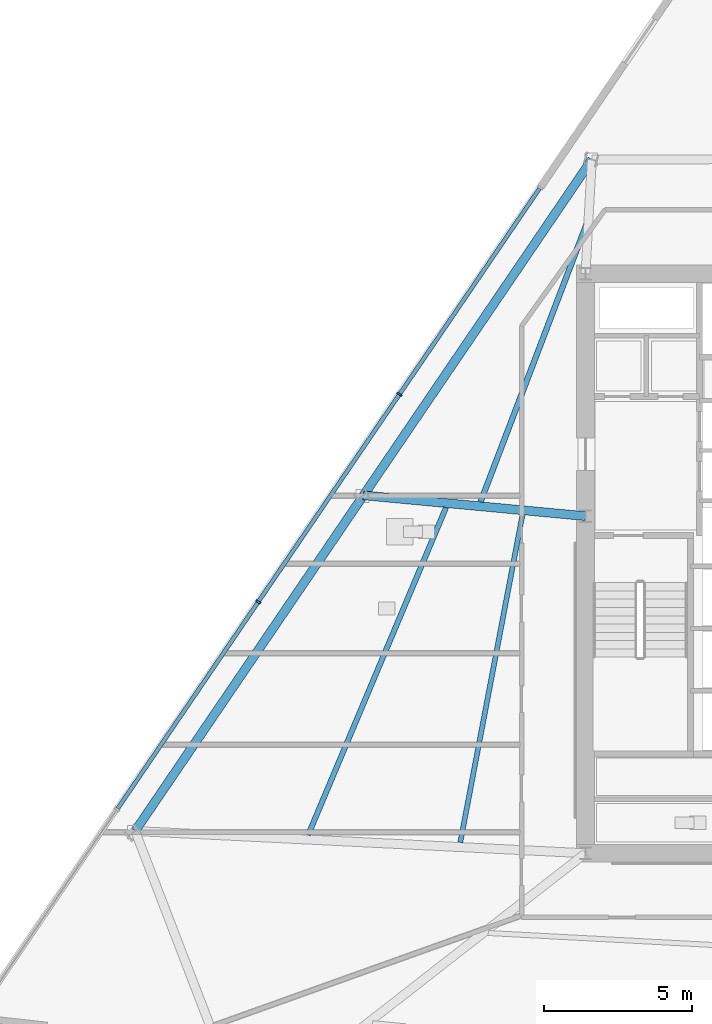
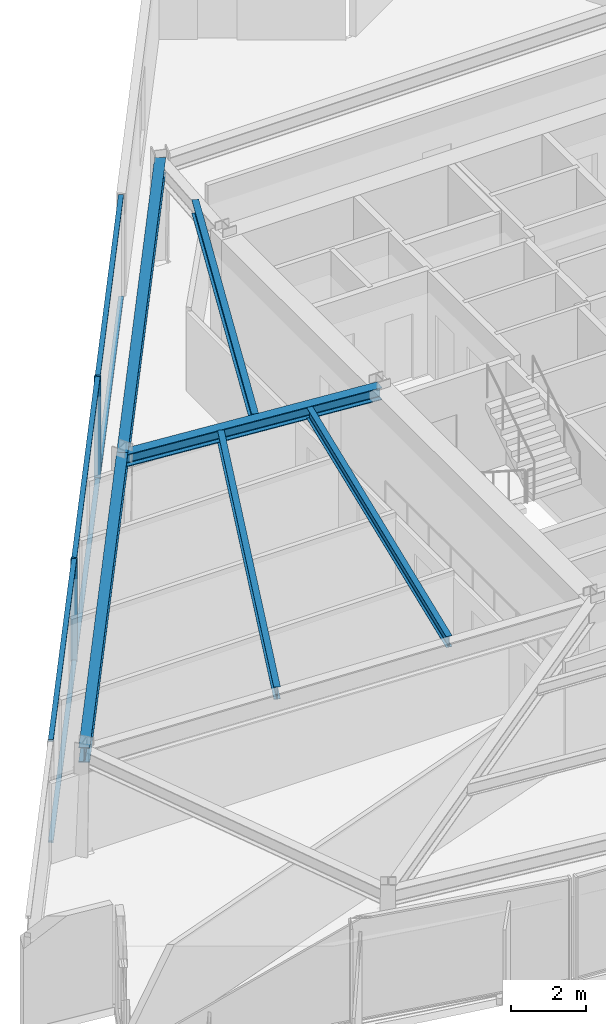
# One storey, part 3 of 15: 8 members, 6 beams, 1 element without a shape of its own.
"""IFC4 building model written with IfcOpenShell, lengths in metres."""

from ifc_helpers import new_model, si_unit, direction, frame, origin, origin_2d, place, context, subcontext, project, spatial, rectangle, i_section, extrude, material, material_profile, profile_set, type_object, element, aggregate, save


model = new_model("IFC4")

# Units and contexts
model_context = context("Model", 3, precision=1e-05, world=origin(), true_north=direction((0.0, 1.0)))
body_context = subcontext(model_context, "Body", "Model", "MODEL_VIEW")
ifc_project = project(units=[si_unit("LENGTHUNIT", "METRE"), si_unit("AREAUNIT", "SQUARE_METRE"), si_unit("VOLUMEUNIT", "CUBIC_METRE"), si_unit("PLANEANGLEUNIT", "RADIAN"), si_unit("MASSUNIT", "GRAM", prefix="KILO")], contexts=[model_context])

# Site, building, storey
site_placement = place(None, origin())
site = spatial("IfcSite", under=ifc_project, at=site_placement, CompositionType="ELEMENT")
building_placement = place(site_placement, origin())
building = spatial("IfcBuilding", under=site, at=building_placement, Name="Savorim Split Tower", CompositionType="ELEMENT")
storey_placement = place(building_placement, frame((0.0, 0.0, 82.5)))
storey = spatial("IfcBuildingStorey", under=building, at=storey_placement, Name="L21", CompositionType="ELEMENT", Elevation=82.5)

# Beams
ifc_material_1 = material(Name="Steel S355", Category="steel")
ifc_material_profile_1 = material_profile(ifc_material_1, i_section(OverallWidth=0.169921875, OverallDepth=0.360107421875, WebThickness=0.008056640625, FlangeThickness=0.0126953125, FilletRadius=0.01806640625, at=origin_2d()), Name="IPE 360")
ifc_profile_set_1 = profile_set([ifc_material_profile_1], Name="Steel S355")
beam_type_1 = type_object("IfcBeamType", Name="BM-JST-IPE360", PredefinedType="JOIST", material=ifc_profile_set_1)
beam_1_placement = place(storey_placement, frame((-9.831787109375, 2.039794921875, 3.169921875), z_axis=(-0.186583493909, -0.982439107426, 0.0), x_axis=(0.982439107426, -0.186583493909, 0.0)))
element("IfcBeam", 1, at=beam_1_placement, inside=storey, type_object=beam_type_1, Name="L21 Secondary Floor Joist JS-11", PredefinedType="JOIST", context=body_context, shape_type="SweptSolid", body=[
    extrude(i_section(OverallWidth=0.169921875, OverallDepth=0.360107421875, WebThickness=0.008056640625, FlangeThickness=0.0126953125, FilletRadius=0.01806640625, at=origin_2d()), origin(), (0.0, 0.0, 1.0), 11.27001953125),
])
ifc_material_profile_2 = material_profile(ifc_material_1, i_section(OverallWidth=0.179931640625, OverallDepth=0.39990234375, WebThickness=0.008544921875, FlangeThickness=0.013427734375, FilletRadius=0.02099609375, at=origin_2d()), Name="IPE 400")
ifc_profile_set_2 = profile_set([ifc_material_profile_2], Name="Steel S355")
beam_type_2 = type_object("IfcBeamType", Name="BM-JST-IPE400", PredefinedType="JOIST", material=ifc_profile_set_2)
beam_2_placement = place(storey_placement, frame((-12.416748046875, 2.28857421875, 3.14990234375), z_axis=(-0.388087881087, -0.92162237199, 0.0), x_axis=(0.92162237199, -0.388087881087, 0.0)))
element("IfcBeam", 2, at=beam_2_placement, inside=storey, type_object=beam_type_2, Name="L21 Secondary Floor Joist JS-10", PredefinedType="JOIST", context=body_context, shape_type="SweptSolid", body=[
    extrude(i_section(OverallWidth=0.179931640625, OverallDepth=0.39990234375, WebThickness=0.008544921875, FlangeThickness=0.013427734375, FilletRadius=0.02099609375, at=origin_2d()), origin(), (0.0, 0.0, 1.0), 12.016845703125),
])
ifc_material_profile_3 = material_profile(ifc_material_1, i_section(OverallWidth=0.18994140625, OverallDepth=0.449951171875, WebThickness=0.009521484375, FlangeThickness=0.0146484375, FilletRadius=0.02099609375, at=origin_2d()), Name="IPE 450")
ifc_profile_set_3 = profile_set([ifc_material_profile_3], Name="Steel S355")
beam_type_3 = type_object("IfcBeamType", Name="BM-JST-IPE450", PredefinedType="JOIST", material=ifc_profile_set_3)
beam_3_placement = place(storey_placement, frame((-7.65380859375, 11.90087890625, 3.125), z_axis=(-0.356563531029, -0.934271078617, 0.0), x_axis=(0.934271078617, -0.356563531029, 0.0)))
element("IfcBeam", 3, at=beam_3_placement, inside=storey, type_object=beam_type_3, Name="L21 Secondary Floor Joist JS-09", PredefinedType="JOIST", context=body_context, shape_type="SweptSolid", body=[
    extrude(i_section(OverallWidth=0.18994140625, OverallDepth=0.449951171875, WebThickness=0.009521484375, FlangeThickness=0.0146484375, FilletRadius=0.02099609375, at=origin_2d()), origin(), (0.0, 0.0, 1.0), 10.076171875),
])
ifc_material_profile_4 = material_profile(ifc_material_1, i_section(OverallWidth=0.300048828125, OverallDepth=0.39990234375, WebThickness=0.013427734375, FlangeThickness=0.02392578125, FilletRadius=0.027099609375, at=origin_2d()), Name="HEB 400")
ifc_profile_set_4 = profile_set([ifc_material_profile_4], Name="Steel S355")
beam_type_4 = type_object("IfcBeamType", Name="BM-PRI-HEB400", PredefinedType="BEAM", material=ifc_profile_set_4)
beam_4_placement = place(storey_placement, frame((-15.20751953125, 2.703369140625, 3.14990234375), z_axis=(0.995639959977, -0.093279526672, 0.0), x_axis=(0.093279526672, 0.995639959977, 0.0)))
element("IfcBeam", 4, at=beam_4_placement, inside=storey, type_object=beam_type_4, Name="L21 Primary Floor Girder RG-09", PredefinedType="BEAM", context=body_context, shape_type="SweptSolid", body=[
    extrude(i_section(OverallWidth=0.300048828125, OverallDepth=0.39990234375, WebThickness=0.013427734375, FlangeThickness=0.02392578125, FilletRadius=0.027099609375, at=origin_2d()), origin(), (0.0, 0.0, 1.0), 7.54052734375),
])
ifc_material_profile_5 = material_profile(ifc_material_1, i_section(OverallWidth=0.300048828125, OverallDepth=0.489990234375, WebThickness=0.011962890625, FlangeThickness=0.02294921875, FilletRadius=0.027099609375, at=origin_2d()), Name="HEA 500")
ifc_profile_set_5 = profile_set([ifc_material_profile_5], Name="Steel S355")
beam_type_5 = type_object("IfcBeamType", Name="BM-SPN-HEA500", PredefinedType="SPANDREL", material=ifc_profile_set_5)
beam_5_placement = place(storey_placement, frame((-7.485107421875, 14.05517578125, 3.10498046875), z_axis=(-0.562468572207, -0.826818665294, 0.0), x_axis=(0.826818665294, -0.562468572207, 0.0)))
element("IfcBeam", 5, at=beam_5_placement, inside=storey, type_object=beam_type_5, Name="L21 Perimeter Spandrel Beam 8", PredefinedType="SPANDREL", context=body_context, shape_type="SweptSolid", body=[
    extrude(i_section(OverallWidth=0.300048828125, OverallDepth=0.489990234375, WebThickness=0.011962890625, FlangeThickness=0.02294921875, FilletRadius=0.027099609375, at=origin_2d()), origin(), (0.0, 0.0, 1.0), 13.7294921875),
])
beam_6_placement = place(storey_placement, frame((-15.20751953125, 2.703369140625, 3.10498046875), z_axis=(-0.562464685458, -0.82682130936, 0.0), x_axis=(0.82682130936, -0.562464685458, 0.0)))
element("IfcBeam", 6, at=beam_6_placement, inside=storey, type_object=beam_type_5, Name="L21 Perimeter Spandrel Beam 9", PredefinedType="SPANDREL", context=body_context, shape_type="SweptSolid", body=[
    extrude(i_section(OverallWidth=0.300048828125, OverallDepth=0.489990234375, WebThickness=0.011962890625, FlangeThickness=0.02294921875, FilletRadius=0.027099609375, at=origin_2d()), origin(), (0.0, 0.0, 1.0), 13.729248046875),
])

# Curtain wall, members
ifc_material_2 = material(Name="Dark Ceramic-Fritted Insulated Glass", Category="glass")
curtain_wall_type = type_object("IfcCurtainWallType", Name="CW-TWR-FRIT-A", PredefinedType="NOTDEFINED", material=ifc_material_2)
curtain_wall_placement = place(storey_placement, origin())
curtain_wall = element("IfcCurtainWall", 7, at=curtain_wall_placement, inside=storey, type_object=curtain_wall_type, Name="L21 Curtain Wall CW-L21-WEST", PredefinedType="NOTDEFINED")
ifc_material_3 = material(Name="Charcoal Anodised Aluminium", Category="aluminium")
ifc_material_profile_6 = material_profile(ifc_material_3, rectangle(XDim=0.179931640625, YDim=0.06494140625, at=origin_2d()), Name="ALU-M 180x65")
ifc_profile_set_6 = profile_set([ifc_material_profile_6], Name="Charcoal Anodised Aluminium")
member_type_1 = type_object("IfcMemberType", Name="CWM-180x65", PredefinedType="MULLION", material=ifc_profile_set_6)
member_1_placement = place(storey_placement, frame((-13.9912109375, 6.1181640625, 0.0), z_axis=(0.0, 0.0, 1.0), x_axis=(0.826819383915, -0.562467515846, 0.0)))
member_1 = element("IfcMember", 8, at=member_1_placement, type_object=member_type_1, Name="CW-02 mullion 2", PredefinedType="MULLION", context=body_context, shape_type="SweptSolid", body=[
    extrude(rectangle(XDim=0.179931640625, YDim=0.06494140625, at=origin_2d()), origin(), (0.0, 0.0, 1.0), 3.35009765625),
])
member_2_placement = place(storey_placement, frame((-18.76513671875, -0.899658203125, 0.0), z_axis=(0.0, 0.0, 1.0), x_axis=(0.826819383915, -0.562467515846, 0.0)))
member_2 = element("IfcMember", 9, at=member_2_placement, type_object=member_type_1, Name="CW-02 mullion 3", PredefinedType="MULLION", context=body_context, shape_type="SweptSolid", body=[
    extrude(rectangle(XDim=0.179931640625, YDim=0.06494140625, at=origin_2d()), origin(), (0.0, 0.0, 1.0), 3.35009765625),
])
ifc_material_profile_7 = material_profile(ifc_material_3, rectangle(XDim=0.139892578125, YDim=0.054931640625, at=origin_2d()), Name="ALU-T 140x55")
ifc_profile_set_7 = profile_set([ifc_material_profile_7], Name="Charcoal Anodised Aluminium")
member_type_2 = type_object("IfcMemberType", Name="CWT-140x55", PredefinedType="USERDEFINED", material=ifc_profile_set_7)
member_3_placement = place(storey_placement, frame((-9.253662109375, 13.082275390625, 0.027587890625), z_axis=(-0.562465211689, -0.826820951379, 0.0), x_axis=(0.826820951379, -0.562465211689, 0.0)))
member_3 = element("IfcMember", 10, at=member_3_placement, type_object=member_type_2, Name="CW-02 transom 1.1", ObjectType="TRANSOM", PredefinedType="USERDEFINED", context=body_context, shape_type="SweptSolid", body=[
    extrude(rectangle(XDim=0.139892578125, YDim=0.054931640625, at=origin_2d()), origin(), (0.0, 0.0, 1.0), 8.390380859375),
])
member_4_placement = place(storey_placement, frame((-9.253662109375, 13.082275390625, 3.322509765625), z_axis=(-0.562465211689, -0.826820951379, 0.0), x_axis=(0.826820951379, -0.562465211689, 0.0)))
member_4 = element("IfcMember", 11, at=member_4_placement, type_object=member_type_2, Name="CW-02 transom 1.2", ObjectType="TRANSOM", PredefinedType="USERDEFINED", context=body_context, shape_type="SweptSolid", body=[
    extrude(rectangle(XDim=0.139892578125, YDim=0.054931640625, at=origin_2d()), origin(), (0.0, 0.0, 1.0), 8.390380859375),
])
member_5_placement = place(storey_placement, frame((-14.009521484375, 6.09130859375, 0.027587890625), z_axis=(-0.562468576469, -0.826818662395, 0.0), x_axis=(0.826818662395, -0.562468576469, 0.0)))
member_5 = element("IfcMember", 12, at=member_5_placement, type_object=member_type_2, Name="CW-02 transom 2.1", ObjectType="TRANSOM", PredefinedType="USERDEFINED", context=body_context, shape_type="SweptSolid", body=[
    extrude(rectangle(XDim=0.139892578125, YDim=0.054931640625, at=origin_2d()), origin(), (0.0, 0.0, 1.0), 8.4228515625),
])
member_6_placement = place(storey_placement, frame((-14.009521484375, 6.09130859375, 3.322509765625), z_axis=(-0.562468576469, -0.826818662395, 0.0), x_axis=(0.826818662395, -0.562468576469, 0.0)))
member_6 = element("IfcMember", 13, at=member_6_placement, type_object=member_type_2, Name="CW-02 transom 2.2", ObjectType="TRANSOM", PredefinedType="USERDEFINED", context=body_context, shape_type="SweptSolid", body=[
    extrude(rectangle(XDim=0.139892578125, YDim=0.054931640625, at=origin_2d()), origin(), (0.0, 0.0, 1.0), 8.4228515625),
])
member_7_placement = place(storey_placement, frame((-18.783447265625, -0.926513671875, 0.027587890625), z_axis=(-0.562482056819, -0.826809491816, 0.0), x_axis=(0.826809491816, -0.562482056819, 0.0)))
member_7 = element("IfcMember", 14, at=member_7_placement, type_object=member_type_2, Name="CW-02 transom 3.1", ObjectType="TRANSOM", PredefinedType="USERDEFINED", context=body_context, shape_type="SweptSolid", body=[
    extrude(rectangle(XDim=0.139892578125, YDim=0.054931640625, at=origin_2d()), origin(), (0.0, 0.0, 1.0), 8.422607421875),
])
member_8_placement = place(storey_placement, frame((-18.783447265625, -0.926513671875, 3.322509765625), z_axis=(-0.562482056819, -0.826809491816, 0.0), x_axis=(0.826809491816, -0.562482056819, 0.0)))
member_8 = element("IfcMember", 15, at=member_8_placement, type_object=member_type_2, Name="CW-02 transom 3.2", ObjectType="TRANSOM", PredefinedType="USERDEFINED", context=body_context, shape_type="SweptSolid", body=[
    extrude(rectangle(XDim=0.139892578125, YDim=0.054931640625, at=origin_2d()), origin(), (0.0, 0.0, 1.0), 8.422607421875),
])
aggregate(curtain_wall, [member_1, member_2, member_3, member_4, member_5, member_6, member_7, member_8])

save(model, "model.ifc")
